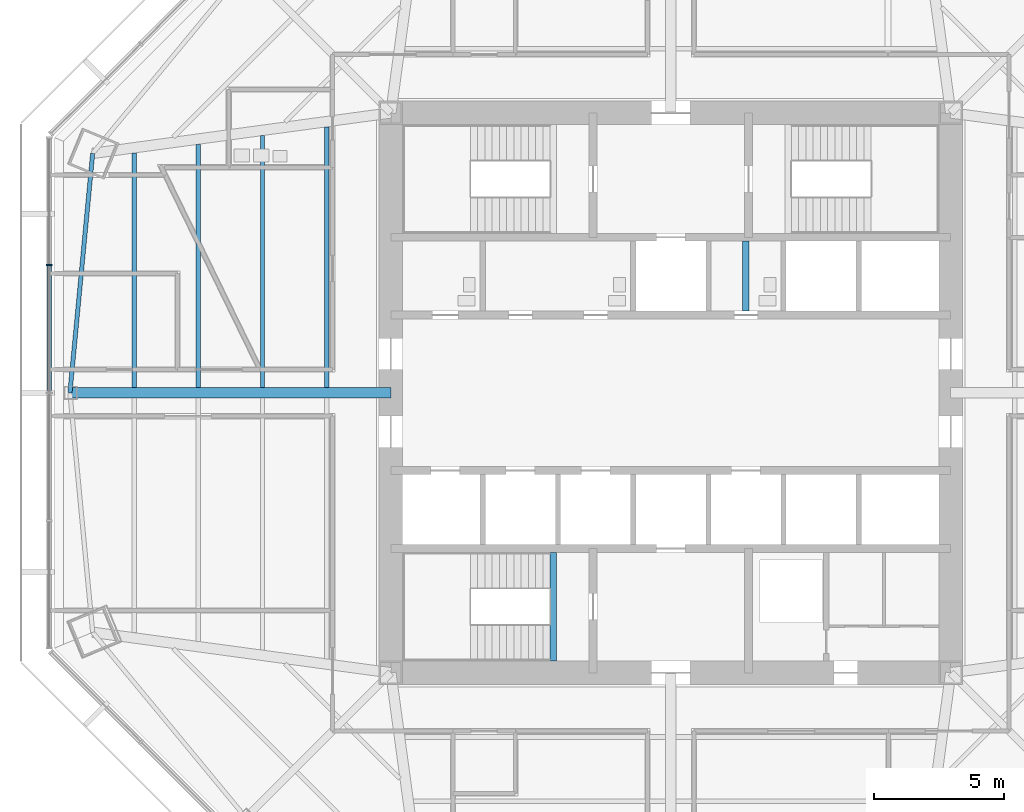
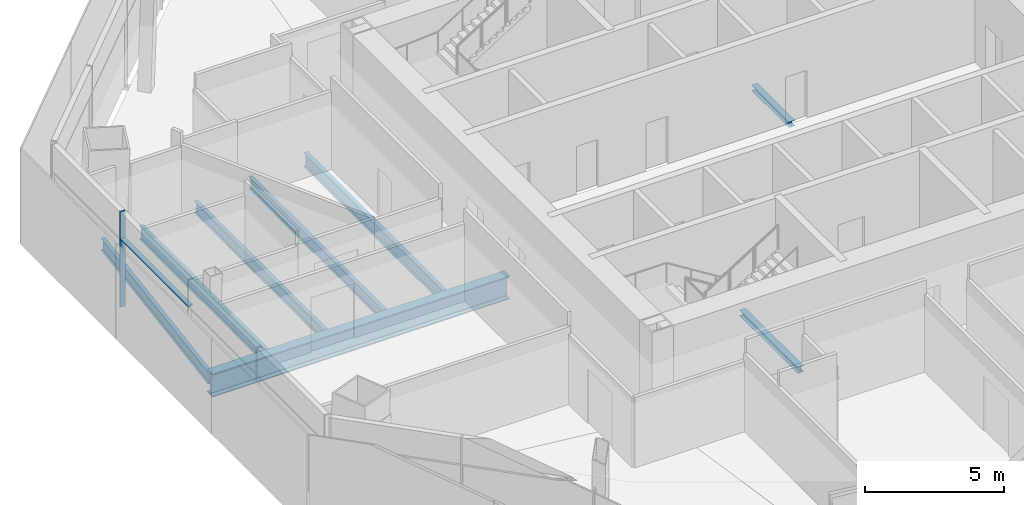
# One storey, part 3 of 14: 8 beams, 2 members, 1 element without a shape of its own.
"""IFC4 building model written with IfcOpenShell, lengths in metres."""

from ifc_helpers import new_model, si_unit, direction, frame, origin, origin_2d, place, context, subcontext, project, spatial, rectangle, i_section, extrude, source, transform, mapped, material, material_profile, profile_set, type_object, type_shapes, element, aggregate, save


model = new_model("IFC4")

# Units and contexts
model_context = context("Model", 3, precision=1e-05, world=origin(), true_north=direction((0.0, 1.0)))
body_context = subcontext(model_context, "Body", "Model", "MODEL_VIEW")
ifc_project = project(units=[si_unit("LENGTHUNIT", "METRE"), si_unit("AREAUNIT", "SQUARE_METRE"), si_unit("VOLUMEUNIT", "CUBIC_METRE"), si_unit("PLANEANGLEUNIT", "RADIAN"), si_unit("MASSUNIT", "GRAM", prefix="KILO")], contexts=[model_context])

# Site, building, storey
site_placement = place(None, origin())
site = spatial("IfcSite", under=ifc_project, at=site_placement, CompositionType="ELEMENT")
building_placement = place(site_placement, origin())
building = spatial("IfcBuilding", under=site, at=building_placement, Name="Mashrafa Tower", CompositionType="ELEMENT")
storey_placement = place(building_placement, frame((0.0, 0.0, 142.800048828125)))
storey = spatial("IfcBuildingStorey", under=building, at=storey_placement, Name="L32", CompositionType="ELEMENT", Elevation=142.800048828125)

# Beams
ifc_material_1 = material(Name="Steel ASTM A992", Category="steel")
ifc_material_profile_1 = material_profile(ifc_material_1, i_section(OverallWidth=0.1650390625, OverallDepth=0.52587890625, WebThickness=0.0087890625, FlangeThickness=0.011474609375, FilletRadius=0.0126953125, at=origin_2d()), Name="W21X44")
ifc_profile_set_1 = profile_set([ifc_material_profile_1], Name="Steel ASTM A992")
beam_type_1 = type_object("IfcBeamType", Name="Beam W21X44", PredefinedType="BEAM", material=ifc_profile_set_1)
beam_1_placement = place(storey_placement, frame((-18.227783203125, 0.20068359375, -0.427978515625), z_axis=(0.0, 1.0, 0.0), x_axis=(-1.0, 0.0, 0.0)))
element("IfcBeam", 1, at=beam_1_placement, inside=storey, type_object=beam_type_1, Name="Floor beam L32 005", PredefinedType="BEAM", context=body_context, shape_type="SweptSolid", body=[
    extrude(i_section(OverallWidth=0.1650390625, OverallDepth=0.52587890625, WebThickness=0.0087890625, FlangeThickness=0.011474609375, FilletRadius=0.0126953125, at=origin_2d()), origin(), (0.0, 0.0, 1.0), 9.3876953125),
])
beam_2_placement = place(storey_placement, frame((-15.751953125, 0.20068359375, -0.427978515625), z_axis=(0.0, 1.0, 0.0), x_axis=(-1.0, 0.0, 0.0)))
element("IfcBeam", 2, at=beam_2_placement, inside=storey, type_object=beam_type_1, Name="Floor beam L32 007", PredefinedType="BEAM", context=body_context, shape_type="SweptSolid", body=[
    extrude(i_section(OverallWidth=0.1650390625, OverallDepth=0.52587890625, WebThickness=0.0087890625, FlangeThickness=0.011474609375, FilletRadius=0.0126953125, at=origin_2d()), origin(), (0.0, 0.0, 1.0), 9.72412109375),
])
beam_3_placement = place(storey_placement, frame((-22.301513671875, 9.237548828125, -0.427978515625), z_axis=(-0.09463898921, -0.995511658255, 0.0), x_axis=(0.995511658255, -0.09463898921, 0.0)))
element("IfcBeam", 3, at=beam_3_placement, inside=storey, type_object=beam_type_1, Name="Spandrel beam L32 067", PredefinedType="BEAM", context=body_context, shape_type="SweptSolid", body=[
    extrude(i_section(OverallWidth=0.1650390625, OverallDepth=0.52587890625, WebThickness=0.0087890625, FlangeThickness=0.011474609375, FilletRadius=0.0126953125, at=origin_2d()), origin(), (0.0, 0.0, 1.0), 9.279296875),
])
ifc_material_2 = material(Name="Steel ASTM A992", Category="steel")
ifc_material_profile_2 = material_profile(ifc_material_2, i_section(OverallWidth=0.177978515625, OverallDepth=0.599365234375, WebThickness=0.010009765625, FlangeThickness=0.012939453125, FilletRadius=0.012939453125, at=origin_2d()), Name="W24X55")
ifc_profile_set_2 = profile_set([ifc_material_profile_2], Name="Steel ASTM A992")
beam_type_2 = type_object("IfcBeamType", Name="Beam W24X55", PredefinedType="BEAM", material=ifc_profile_set_2)
beam_4_placement = place(storey_placement, frame((-20.703857421875, 0.20068359375, -0.46484375), z_axis=(0.0, 1.0, 0.0), x_axis=(-1.0, 0.0, 0.0)))
element("IfcBeam", 4, at=beam_4_placement, inside=storey, type_object=beam_type_2, Name="Floor beam L32 002", PredefinedType="BEAM", context=body_context, shape_type="SweptSolid", body=[
    extrude(i_section(OverallWidth=0.177978515625, OverallDepth=0.599365234375, WebThickness=0.010009765625, FlangeThickness=0.012939453125, FilletRadius=0.012939453125, at=origin_2d()), origin(), (0.0, 0.0, 1.0), 9.051513671875),
])
beam_5_placement = place(storey_placement, frame((-13.27587890625, 0.20068359375, -0.46484375), z_axis=(0.0, 1.0, 0.0), x_axis=(-1.0, 0.0, 0.0)))
element("IfcBeam", 5, at=beam_5_placement, inside=storey, type_object=beam_type_2, Name="Floor beam L32 012", PredefinedType="BEAM", context=body_context, shape_type="SweptSolid", body=[
    extrude(i_section(OverallWidth=0.177978515625, OverallDepth=0.599365234375, WebThickness=0.010009765625, FlangeThickness=0.012939453125, FilletRadius=0.012939453125, at=origin_2d()), origin(), (0.0, 0.0, 1.0), 10.060546875),
])
ifc_material_3 = material(Name="Steel ASTM A992", Category="steel")
ifc_material_profile_3 = material_profile(ifc_material_3, i_section(OverallWidth=0.4013671875, OverallDepth=1.010986328125, WebThickness=0.023681640625, FlangeThickness=0.0419921875, FilletRadius=0.02001953125, at=origin_2d()), Name="W40X297")
ifc_profile_set_3 = profile_set([ifc_material_profile_3], Name="Steel ASTM A992")
beam_type_3 = type_object("IfcBeamType", Name="Beam W40X297", PredefinedType="BEAM", material=ifc_profile_set_3)
beam_6_placement = place(storey_placement, frame((-10.800048828125, 0.0, -0.67041015625), z_axis=(-1.0, 0.0, 0.0), x_axis=(0.0, -1.0, 0.0)))
element("IfcBeam", 6, at=beam_6_placement, inside=storey, type_object=beam_type_3, Name="Radial girder L32 052", PredefinedType="BEAM", context=body_context, shape_type="SweptSolid", body=[
    extrude(i_section(OverallWidth=0.4013671875, OverallDepth=1.010986328125, WebThickness=0.023681640625, FlangeThickness=0.0419921875, FilletRadius=0.02001953125, at=origin_2d()), origin(), (0.0, 0.0, 1.0), 12.379638671875),
])
ifc_material_4 = material(Name="Steel ASTM A992", Category="steel")
ifc_material_profile_4 = material_profile(ifc_material_4, i_section(OverallWidth=0.25390625, OverallDepth=0.25390625, WebThickness=0.008544921875, FlangeThickness=0.01416015625, FilletRadius=0.010009765625, at=origin_2d()), Name="W10X49")
ifc_profile_set_4 = profile_set([ifc_material_profile_4], Name="Steel ASTM A992")
beam_type_4 = type_object("IfcBeamType", Name="Hoistway beam W10X49", PredefinedType="BEAM", material=ifc_profile_set_4)
beam_7_placement = place(storey_placement, frame((2.89990234375, 3.14990234375, -0.2919921875), z_axis=(0.0, 1.0, 0.0), x_axis=(-1.0, 0.0, 0.0)))
element("IfcBeam", 7, at=beam_7_placement, inside=storey, type_object=beam_type_4, Name="Hoistway beam L32 06", PredefinedType="BEAM", context=body_context, shape_type="SweptSolid", body=[
    extrude(i_section(OverallWidth=0.25390625, OverallDepth=0.25390625, WebThickness=0.008544921875, FlangeThickness=0.01416015625, FilletRadius=0.010009765625, at=origin_2d()), origin(), (0.0, 0.0, 1.0), 2.7001953125),
])
beam_8_placement = place(storey_placement, frame((-4.530029296875, -10.35009765625, -0.3271484375), z_axis=(0.0, 1.0, 0.0), x_axis=(-1.0, 0.0, 0.0)))
element("IfcBeam", 8, at=beam_8_placement, inside=storey, type_object=beam_type_4, Name="Stair S3 landing beam L32", PredefinedType="BEAM", context=body_context, shape_type="SweptSolid", body=[
    extrude(i_section(OverallWidth=0.25390625, OverallDepth=0.25390625, WebThickness=0.008544921875, FlangeThickness=0.01416015625, FilletRadius=0.010009765625, at=origin_2d()), origin(), (0.0, 0.0, 1.0), 4.2001953125),
])

# Curtain wall, members
ifc_material_5 = material(Name="Unitised aluminium curtain wall", Category="aluminium")
curtain_wall_type = type_object("IfcCurtainWallType", Name="Office curtain wall, zone 2 CW-B 225 deep", PredefinedType="NOTDEFINED", material=ifc_material_5)
curtain_wall_placement = place(storey_placement, origin())
curtain_wall = element("IfcCurtainWall", 9, at=curtain_wall_placement, inside=storey, type_object=curtain_wall_type, Name="Office curtain wall, zone 2 L32 west", PredefinedType="NOTDEFINED")
ifc_material_6 = material(Name="Extruded aluminium mullion", Category="aluminium")
ifc_material_profile_5 = material_profile(ifc_material_6, rectangle(XDim=0.22509765625, YDim=0.06494140625, at=origin_2d()), Name="Mullion 65x225")
ifc_profile_set_5 = profile_set([ifc_material_profile_5], Name="Extruded aluminium mullion")
member_type_1 = type_object("IfcMemberType", Name="Mullion CW-B 65 x 225", PredefinedType="MULLION", material=ifc_profile_set_5)
shared_shape_1 = source(origin(), body_context, "Body", "SweptSolid", [
    extrude(rectangle(XDim=0.22509765625, YDim=0.06494140625, at=origin_2d()), origin(), (0.0, 0.0, 1.0), 4.199951171875),
])
type_shapes(member_type_1, [shared_shape_1])
member_1_placement = place(storey_placement, frame((-23.97509765625, 4.93701171875, 0.0), z_axis=(0.0, 0.0, 1.0), x_axis=(1.0, 0.0, 0.0)))
member_1 = element("IfcMember", 10, at=member_1_placement, type_object=member_type_1, Name="CW-B mullion 2", PredefinedType="MULLION", context=body_context, shape_type="MappedRepresentation", body=[
    mapped(shared_shape_1, transform((0.0, 0.0, 0.0))),
])
ifc_material_7 = material(Name="Extruded aluminium transom", Category="aluminium")
ifc_material_profile_6 = material_profile(ifc_material_7, rectangle(XDim=0.179931640625, YDim=0.080078125, at=origin_2d()), Name="Transom 80x180")
ifc_profile_set_6 = profile_set([ifc_material_profile_6], Name="Extruded aluminium transom")
member_type_2 = type_object("IfcMemberType", Name="Transom CW-B 80 x 180", PredefinedType="MULLION", material=ifc_profile_set_6)
shared_shape_2 = source(origin(), body_context, "Body", "SweptSolid", [
    extrude(rectangle(XDim=0.179931640625, YDim=0.080078125, at=origin_2d()), origin(), (0.0, 0.0, 1.0), 4.8720703125),
])
type_shapes(member_type_2, [shared_shape_2])
member_2_placement = place(storey_placement, frame((-23.97509765625, 4.904541015625, 3.0), z_axis=(0.0, -1.0, 0.0), x_axis=(1.0, 0.0, 0.0)))
member_2 = element("IfcMember", 11, at=member_2_placement, type_object=member_type_2, Name="CW-B transom 2", PredefinedType="MULLION", context=body_context, shape_type="MappedRepresentation", body=[
    mapped(shared_shape_2, transform((0.0, 0.0, 0.0))),
])
aggregate(curtain_wall, [member_1, member_2])

save(model, "model.ifc")
